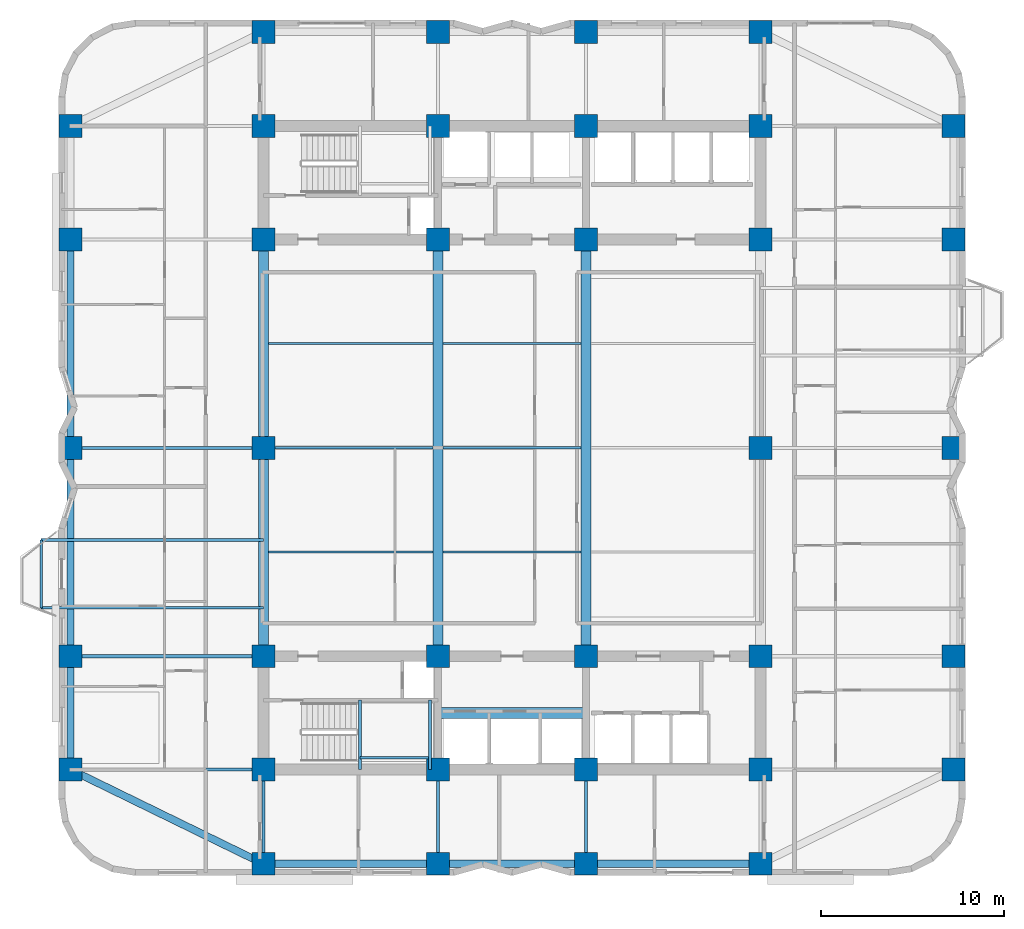
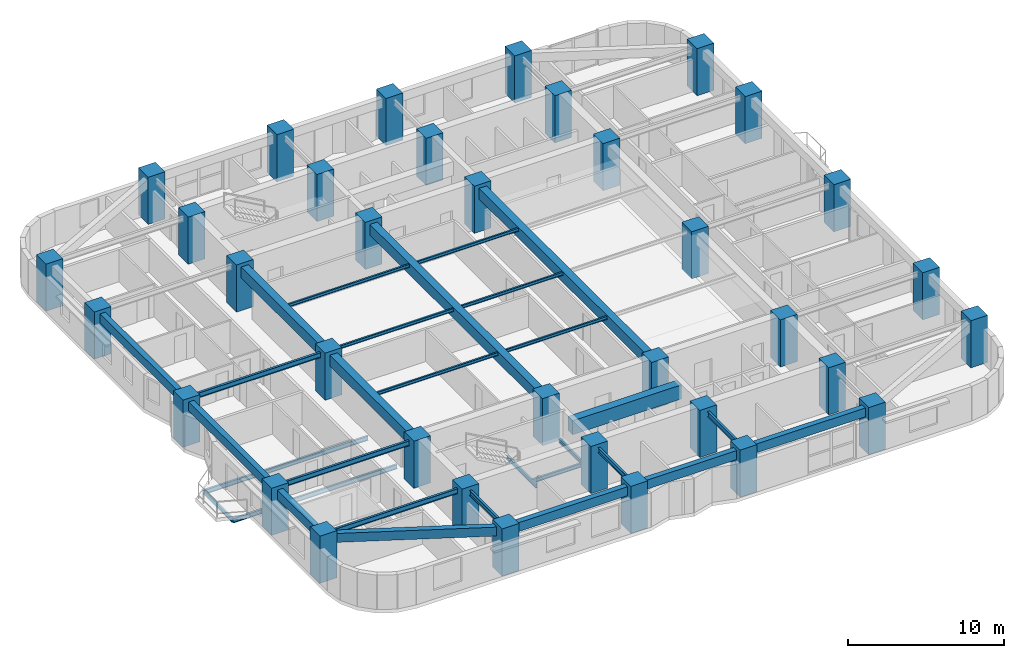
# One storey, part 1 of 13: 36 columns, 30 beams.
"""IFC4 building model written with IfcOpenShell, lengths in metres."""

from ifc_helpers import new_model, si_unit, direction, frame, origin, origin_2d, place, context, subcontext, project, spatial, rectangle, i_section, extrude, material, material_profile, profile_set, type_object, element, save


model = new_model("IFC4")

# Units and contexts
model_context = context("Model", 3, precision=1e-05, world=origin(), true_north=direction((0.0, 1.0)))
body_context = subcontext(model_context, "Body", "Model", "MODEL_VIEW")
ifc_project = project(units=[si_unit("LENGTHUNIT", "METRE"), si_unit("AREAUNIT", "SQUARE_METRE"), si_unit("VOLUMEUNIT", "CUBIC_METRE"), si_unit("PLANEANGLEUNIT", "RADIAN"), si_unit("MASSUNIT", "GRAM", prefix="KILO")], contexts=[model_context])

# Site, building, storey
site_placement = place(None, origin())
site = spatial("IfcSite", under=ifc_project, at=site_placement, CompositionType="ELEMENT")
building_placement = place(site_placement, origin())
building = spatial("IfcBuilding", under=site, at=building_placement, Name="Svetorya Sky Lyceum", CompositionType="ELEMENT")
storey_placement = place(building_placement, frame((0.0, 0.0, 58.39990234375)))
storey = spatial("IfcBuildingStorey", under=building, at=storey_placement, Name="L14", CompositionType="ELEMENT", Elevation=58.39990234375)

# Columns
ifc_material_1 = material(Name="Concrete C60/75", Category="concrete")
ifc_material_profile_1 = material_profile(ifc_material_1, rectangle(XDim=1.25, YDim=1.25, at=origin_2d()), Name="RC COL 1250x1250")
ifc_profile_set_1 = profile_set([ifc_material_profile_1], Name="Concrete C60/75")
column_type = type_object("IfcColumnType", Name="COL-RC-1250", PredefinedType="COLUMN", material=ifc_profile_set_1)
for number, where, z_axis, x_axis, name in (
    (1, (25.60009765625, 10.60009765625, 0.0), (0.0, 0.0, 1.0), (1.0, 0.0, 0.0), "L14 Core Column CS-11"),
    (2, (25.60009765625, 16.800048828125, 0.0), (0.0, 0.0, 1.0), (1.0, 0.0, 0.0), "L14 Core Column CS-12"),
    (3, (35.14990234375, 10.60009765625, 0.0), (0.0, 0.0, 1.0), (1.0, 0.0, 0.0), "L14 Core Column CS-21"),
    (4, (35.14990234375, 16.800048828125, 0.0), (0.0, 0.0, 1.0), (1.0, 0.0, 0.0), "L14 Core Column CS-22"),
    (5, (43.25, 10.60009765625, 0.0), (0.0, 0.0, 1.0), (1.0, 0.0, 0.0), "L14 Core Column CS-31"),
    (6, (43.25, 16.800048828125, 0.0), (0.0, 0.0, 1.0), (1.0, 0.0, 0.0), "L14 Core Column CS-32"),
    (7, (52.800048828125, 10.60009765625, 0.0), (0.0, 0.0, 1.0), (1.0, 0.0, 0.0), "L14 Core Column CS-41"),
    (8, (52.800048828125, 16.800048828125, 0.0), (0.0, 0.0, 1.0), (1.0, 0.0, 0.0), "L14 Core Column CS-42"),
    (9, (25.60009765625, 39.60009765625, 0.0), (0.0, 0.0, 1.0), (1.0, 0.0, 0.0), "L14 Core Column CN-11"),
    (10, (25.60009765625, 45.800048828125, 0.0), (0.0, 0.0, 1.0), (1.0, 0.0, 0.0), "L14 Core Column CN-12"),
    (11, (35.14990234375, 39.60009765625, 0.0), (0.0, 0.0, 1.0), (1.0, 0.0, 0.0), "L14 Core Column CN-21"),
    (12, (35.14990234375, 45.800048828125, 0.0), (0.0, 0.0, 1.0), (1.0, 0.0, 0.0), "L14 Core Column CN-22"),
    (13, (43.25, 39.60009765625, 0.0), (0.0, 0.0, 1.0), (1.0, 0.0, 0.0), "L14 Core Column CN-31"),
    (14, (43.25, 45.800048828125, 0.0), (0.0, 0.0, 1.0), (1.0, 0.0, 0.0), "L14 Core Column CN-32"),
    (15, (52.800048828125, 39.60009765625, 0.0), (0.0, 0.0, 1.0), (1.0, 0.0, 0.0), "L14 Core Column CN-41"),
    (16, (52.800048828125, 45.800048828125, 0.0), (0.0, 0.0, 1.0), (1.0, 0.0, 0.0), "L14 Core Column CN-42"),
    (17, (25.60009765625, 28.199951171875, 0.0), (0.0, 0.0, 1.0), (1.0, 0.0, 0.0), "L14 Core Column CM-W"),
    (18, (52.800048828125, 28.199951171875, 0.0), (0.0, 0.0, 1.0), (1.0, 0.0, 0.0), "L14 Core Column CM-E"),
    (19, (25.60009765625, 5.449951171875, 0.0), (0.0, 0.0, 1.0), (1.0, 0.0, 0.0), "L14 Perimeter Column S1"),
    (20, (25.60009765625, 50.949951171875, 0.0), (0.0, 0.0, 1.0), (1.0, 0.0, 0.0), "L14 Perimeter Column N1"),
    (21, (35.14990234375, 5.449951171875, 0.0), (0.0, 0.0, 1.0), (1.0, 0.0, 0.0), "L14 Perimeter Column S2"),
    (22, (35.14990234375, 50.949951171875, 0.0), (0.0, 0.0, 1.0), (1.0, 0.0, 0.0), "L14 Perimeter Column N2"),
    (23, (43.25, 5.449951171875, 0.0), (0.0, 0.0, 1.0), (1.0, 0.0, 0.0), "L14 Perimeter Column S3"),
    (24, (43.25, 50.949951171875, 0.0), (0.0, 0.0, 1.0), (1.0, 0.0, 0.0), "L14 Perimeter Column N3"),
    (25, (52.800048828125, 5.449951171875, 0.0), (0.0, 0.0, 1.0), (1.0, 0.0, 0.0), "L14 Perimeter Column S4"),
    (26, (52.800048828125, 50.949951171875, 0.0), (0.0, 0.0, 1.0), (1.0, 0.0, 0.0), "L14 Perimeter Column N4"),
    (27, (15.050048828125, 10.60009765625, 0.0), (0.0, 0.0, 1.0), (1.0, 0.0, 0.0), "L14 Perimeter Column W1"),
    (28, (63.35009765625, 10.60009765625, 0.0), (0.0, 0.0, 1.0), (1.0, 0.0, 0.0), "L14 Perimeter Column E1"),
    (29, (15.050048828125, 16.800048828125, 0.0), (0.0, 0.0, 1.0), (1.0, 0.0, 0.0), "L14 Perimeter Column W2"),
    (30, (63.35009765625, 16.800048828125, 0.0), (0.0, 0.0, 1.0), (1.0, 0.0, 0.0), "L14 Perimeter Column E2"),
    (31, (15.050048828125, 28.199951171875, 0.0), (0.0, 0.0, 1.0), (1.0, 0.0, 0.0), "L14 Perimeter Column W3"),
    (32, (63.35009765625, 28.199951171875, 0.0), (0.0, 0.0, 1.0), (1.0, 0.0, 0.0), "L14 Perimeter Column E3"),
    (33, (15.050048828125, 39.60009765625, 0.0), (0.0, 0.0, 1.0), (1.0, 0.0, 0.0), "L14 Perimeter Column W4"),
    (34, (63.35009765625, 39.60009765625, 0.0), (0.0, 0.0, 1.0), (1.0, 0.0, 0.0), "L14 Perimeter Column E4"),
    (35, (15.050048828125, 45.800048828125, 0.0), (0.0, 0.0, 1.0), (1.0, 0.0, 0.0), "L14 Perimeter Column W5"),
    (36, (63.35009765625, 45.800048828125, 0.0), (0.0, 0.0, 1.0), (1.0, 0.0, 0.0), "L14 Perimeter Column E5"),
):
    element("IfcColumn", number, at=place(storey_placement, frame(where, z_axis=z_axis, x_axis=x_axis)), inside=storey, type_object=column_type, Name=name, PredefinedType="COLUMN", context=body_context, shape_type="SweptSolid", body=[
        extrude(rectangle(XDim=1.25, YDim=1.25, at=origin_2d()), origin(), (0.0, 0.0, 1.0), 3.7001953125),
    ])

# Beams
ifc_material_profile_2 = material_profile(ifc_material_1, rectangle(XDim=0.60009765625, YDim=1.10009765625, at=origin_2d()), Name="RC COUPLING 600x1100")
ifc_profile_set_2 = profile_set([ifc_material_profile_2], Name="Concrete C60/75")
beam_type_1 = type_object("IfcBeamType", Name="BM-CPL-1100", PredefinedType="LINTEL", material=ifc_profile_set_2)
beam_1_placement = place(storey_placement, frame((35.14990234375, 13.699951171875, 2.8701171875), z_axis=(1.0, 0.0, 0.0), x_axis=(0.0, 1.0, 0.0)))
element("IfcBeam", 37, at=beam_1_placement, inside=storey, type_object=beam_type_1, Name="L14 SC Core Coupling Beam", PredefinedType="LINTEL", context=body_context, shape_type="SweptSolid", body=[
    extrude(rectangle(XDim=0.60009765625, YDim=1.10009765625, at=origin_2d()), origin(), (0.0, 0.0, 1.0), 8.10009765625),
])
ifc_material_2 = material(Name="Concrete C50/60", Category="concrete")
ifc_material_profile_3 = material_profile(ifc_material_2, rectangle(XDim=0.550048828125, YDim=0.85009765625, at=origin_2d()), Name="RC BEAM 550x850")
ifc_profile_set_3 = profile_set([ifc_material_profile_3], Name="Concrete C50/60")
beam_type_2 = type_object("IfcBeamType", Name="BM-RC-850", PredefinedType="BEAM", material=ifc_profile_set_3)
beam_2_placement = place(storey_placement, frame((25.60009765625, 16.800048828125, 2.9951171875), z_axis=(0.0, 1.0, 0.0), x_axis=(-1.0, 0.0, 0.0)))
element("IfcBeam", 38, at=beam_2_placement, inside=storey, type_object=beam_type_2, Name="L14 Central Bay Primary Girder CG-1A", PredefinedType="BEAM", context=body_context, shape_type="SweptSolid", body=[
    extrude(rectangle(XDim=0.550048828125, YDim=0.85009765625, at=origin_2d()), origin(), (0.0, 0.0, 1.0), 11.39990234375),
])
beam_3_placement = place(storey_placement, frame((25.60009765625, 28.199951171875, 2.9951171875), z_axis=(0.0, 1.0, 0.0), x_axis=(-1.0, 0.0, 0.0)))
element("IfcBeam", 39, at=beam_3_placement, inside=storey, type_object=beam_type_2, Name="L14 Central Bay Primary Girder CG-1B", PredefinedType="BEAM", context=body_context, shape_type="SweptSolid", body=[
    extrude(rectangle(XDim=0.550048828125, YDim=0.85009765625, at=origin_2d()), origin(), (0.0, 0.0, 1.0), 11.400146484375),
])
for number, where, z_axis, x_axis, name in (
    (40, (35.14990234375, 16.800048828125, 2.9951171875), (0.0, 1.0, 0.0), (-1.0, 0.0, 0.0), "L14 Central Bay Primary Girder CG-2"),
    (41, (43.25, 16.800048828125, 2.9951171875), (0.0, 1.0, 0.0), (-1.0, 0.0, 0.0), "L14 Central Bay Primary Girder CG-3"),
):
    element("IfcBeam", number, at=place(storey_placement, frame(where, z_axis=z_axis, x_axis=x_axis)), inside=storey, type_object=beam_type_2, Name=name, PredefinedType="BEAM", context=body_context, shape_type="SweptSolid", body=[
        extrude(rectangle(XDim=0.550048828125, YDim=0.85009765625, at=origin_2d()), origin(), (0.0, 0.0, 1.0), 22.800048828125),
    ])
ifc_material_profile_4 = material_profile(ifc_material_2, rectangle(XDim=0.39990234375, YDim=0.699951171875, at=origin_2d()), Name="RC SPANDREL 400x700")
ifc_profile_set_4 = profile_set([ifc_material_profile_4], Name="Concrete C50/60")
beam_type_3 = type_object("IfcBeamType", Name="BM-SPN-700", PredefinedType="SPANDREL", material=ifc_profile_set_4)
beam_4_placement = place(storey_placement, frame((25.60009765625, 5.449951171875, 3.070068359375), z_axis=(1.0, 0.0, 0.0), x_axis=(0.0, 1.0, 0.0)))
element("IfcBeam", 42, at=beam_4_placement, inside=storey, type_object=beam_type_3, Name="L14 South Spandrel 1", PredefinedType="SPANDREL", context=body_context, shape_type="SweptSolid", body=[
    extrude(rectangle(XDim=0.39990234375, YDim=0.699951171875, at=origin_2d()), origin(), (0.0, 0.0, 1.0), 9.5498046875),
])
beam_5_placement = place(storey_placement, frame((35.14990234375, 5.449951171875, 3.070068359375), z_axis=(1.0, 0.0, 0.0), x_axis=(0.0, 1.0, 0.0)))
element("IfcBeam", 43, at=beam_5_placement, inside=storey, type_object=beam_type_3, Name="L14 South Spandrel 2", PredefinedType="SPANDREL", context=body_context, shape_type="SweptSolid", body=[
    extrude(rectangle(XDim=0.39990234375, YDim=0.699951171875, at=origin_2d()), origin(), (0.0, 0.0, 1.0), 8.10009765625),
])
beam_6_placement = place(storey_placement, frame((43.25, 5.449951171875, 3.070068359375), z_axis=(1.0, 0.0, 0.0), x_axis=(0.0, 1.0, 0.0)))
element("IfcBeam", 44, at=beam_6_placement, inside=storey, type_object=beam_type_3, Name="L14 South Spandrel 3", PredefinedType="SPANDREL", context=body_context, shape_type="SweptSolid", body=[
    extrude(rectangle(XDim=0.39990234375, YDim=0.699951171875, at=origin_2d()), origin(), (0.0, 0.0, 1.0), 9.550048828125),
])
beam_7_placement = place(storey_placement, frame((25.60009765625, 5.449951171875, 3.070068359375), z_axis=(-0.898641495694, 0.438683783854, 0.0), x_axis=(-0.438683783854, -0.898641495694, 0.0)))
element("IfcBeam", 45, at=beam_7_placement, inside=storey, type_object=beam_type_3, Name="L14 Corner Spandrel 1", PredefinedType="SPANDREL", context=body_context, shape_type="SweptSolid", body=[
    extrude(rectangle(XDim=0.39990234375, YDim=0.699951171875, at=origin_2d()), origin(), (0.0, 0.0, 1.0), 11.739990234375),
])
beam_8_placement = place(storey_placement, frame((15.050048828125, 10.60009765625, 3.070068359375), z_axis=(0.0, 1.0, 0.0), x_axis=(-1.0, 0.0, 0.0)))
element("IfcBeam", 46, at=beam_8_placement, inside=storey, type_object=beam_type_3, Name="L14 West Spandrel 1", PredefinedType="SPANDREL", context=body_context, shape_type="SweptSolid", body=[
    extrude(rectangle(XDim=0.39990234375, YDim=0.699951171875, at=origin_2d()), origin(), (0.0, 0.0, 1.0), 6.199951171875),
])
beam_9_placement = place(storey_placement, frame((15.050048828125, 16.800048828125, 3.070068359375), z_axis=(0.0, 1.0, 0.0), x_axis=(-1.0, 0.0, 0.0)))
element("IfcBeam", 47, at=beam_9_placement, inside=storey, type_object=beam_type_3, Name="L14 West Spandrel 2", PredefinedType="SPANDREL", context=body_context, shape_type="SweptSolid", body=[
    extrude(rectangle(XDim=0.39990234375, YDim=0.699951171875, at=origin_2d()), origin(), (0.0, 0.0, 1.0), 11.39990234375),
])
beam_10_placement = place(storey_placement, frame((15.050048828125, 28.199951171875, 3.070068359375), z_axis=(0.0, 1.0, 0.0), x_axis=(-1.0, 0.0, 0.0)))
element("IfcBeam", 48, at=beam_10_placement, inside=storey, type_object=beam_type_3, Name="L14 West Spandrel 3", PredefinedType="SPANDREL", context=body_context, shape_type="SweptSolid", body=[
    extrude(rectangle(XDim=0.39990234375, YDim=0.699951171875, at=origin_2d()), origin(), (0.0, 0.0, 1.0), 11.400146484375),
])
ifc_material_3 = material(Name="Steel S355", Category="steel")
ifc_material_profile_5 = material_profile(ifc_material_3, i_section(OverallWidth=0.1240234375, OverallDepth=0.248046875, WebThickness=0.006103515625, FlangeThickness=0.009521484375, at=origin_2d()), Name="GOST 25B2")
ifc_profile_set_5 = profile_set([ifc_material_profile_5], Name="Steel S355")
beam_type_4 = type_object("IfcBeamType", Name="BM-STL-25B2", PredefinedType="JOIST", material=ifc_profile_set_5)
beam_11_placement = place(storey_placement, frame((25.875, 22.5, 3.296142578125), z_axis=(1.0, 0.0, 0.0), x_axis=(0.0, 1.0, 0.0)))
element("IfcBeam", 49, at=beam_11_placement, inside=storey, type_object=beam_type_4, Name="L14 Central Floor Joist CJ-1.1", PredefinedType="JOIST", context=body_context, shape_type="SweptSolid", body=[
    extrude(i_section(OverallWidth=0.1240234375, OverallDepth=0.248046875, WebThickness=0.006103515625, FlangeThickness=0.009521484375, at=origin_2d()), origin(), (0.0, 0.0, 1.0), 9.0),
])
beam_12_placement = place(storey_placement, frame((35.425048828125, 22.5, 3.296142578125), z_axis=(1.0, 0.0, 0.0), x_axis=(0.0, 1.0, 0.0)))
element("IfcBeam", 50, at=beam_12_placement, inside=storey, type_object=beam_type_4, Name="L14 Central Floor Joist CJ-1.2", PredefinedType="JOIST", context=body_context, shape_type="SweptSolid", body=[
    extrude(i_section(OverallWidth=0.1240234375, OverallDepth=0.248046875, WebThickness=0.006103515625, FlangeThickness=0.009521484375, at=origin_2d()), origin(), (0.0, 0.0, 1.0), 7.550048828125),
])
beam_13_placement = place(storey_placement, frame((25.875, 28.199951171875, 3.296142578125), z_axis=(1.0, 0.0, 0.0), x_axis=(0.0, 1.0, 0.0)))
element("IfcBeam", 51, at=beam_13_placement, inside=storey, type_object=beam_type_4, Name="L14 Central Floor Joist CJ-2.1", PredefinedType="JOIST", context=body_context, shape_type="SweptSolid", body=[
    extrude(i_section(OverallWidth=0.1240234375, OverallDepth=0.248046875, WebThickness=0.006103515625, FlangeThickness=0.009521484375, at=origin_2d()), origin(), (0.0, 0.0, 1.0), 9.0),
])
beam_14_placement = place(storey_placement, frame((35.425048828125, 28.199951171875, 3.296142578125), z_axis=(1.0, 0.0, 0.0), x_axis=(0.0, 1.0, 0.0)))
element("IfcBeam", 52, at=beam_14_placement, inside=storey, type_object=beam_type_4, Name="L14 Central Floor Joist CJ-2.2", PredefinedType="JOIST", context=body_context, shape_type="SweptSolid", body=[
    extrude(i_section(OverallWidth=0.1240234375, OverallDepth=0.248046875, WebThickness=0.006103515625, FlangeThickness=0.009521484375, at=origin_2d()), origin(), (0.0, 0.0, 1.0), 7.550048828125),
])
beam_15_placement = place(storey_placement, frame((25.875, 33.89990234375, 3.296142578125), z_axis=(1.0, 0.0, 0.0), x_axis=(0.0, 1.0, 0.0)))
element("IfcBeam", 53, at=beam_15_placement, inside=storey, type_object=beam_type_4, Name="L14 Central Floor Joist CJ-3.1", PredefinedType="JOIST", context=body_context, shape_type="SweptSolid", body=[
    extrude(i_section(OverallWidth=0.1240234375, OverallDepth=0.248046875, WebThickness=0.006103515625, FlangeThickness=0.009521484375, at=origin_2d()), origin(), (0.0, 0.0, 1.0), 9.0),
])
beam_16_placement = place(storey_placement, frame((35.425048828125, 33.89990234375, 3.296142578125), z_axis=(1.0, 0.0, 0.0), x_axis=(0.0, 1.0, 0.0)))
element("IfcBeam", 54, at=beam_16_placement, inside=storey, type_object=beam_type_4, Name="L14 Central Floor Joist CJ-3.2", PredefinedType="JOIST", context=body_context, shape_type="SweptSolid", body=[
    extrude(i_section(OverallWidth=0.1240234375, OverallDepth=0.248046875, WebThickness=0.006103515625, FlangeThickness=0.009521484375, at=origin_2d()), origin(), (0.0, 0.0, 1.0), 7.550048828125),
])
ifc_material_profile_6 = material_profile(ifc_material_3, i_section(OverallWidth=0.14990234375, OverallDepth=0.299072265625, WebThickness=0.006591796875, FlangeThickness=0.010498046875, at=origin_2d()), Name="GOST 30B2")
ifc_profile_set_6 = profile_set([ifc_material_profile_6], Name="Steel S355")
beam_type_5 = type_object("IfcBeamType", Name="BM-STL-30B2", PredefinedType="JOIST", material=ifc_profile_set_6)
beam_17_placement = place(storey_placement, frame((13.449951171875, 19.449951171875, -0.454345703125), z_axis=(0.0, 1.0, 0.0), x_axis=(-1.0, 0.0, 0.0)))
element("IfcBeam", 55, at=beam_17_placement, inside=storey, type_object=beam_type_5, Name="L14 Balcony Edge Tie BAL-W1", PredefinedType="JOIST", context=body_context, shape_type="SweptSolid", body=[
    extrude(i_section(OverallWidth=0.14990234375, OverallDepth=0.299072265625, WebThickness=0.006591796875, FlangeThickness=0.010498046875, at=origin_2d()), origin(), (0.0, 0.0, 1.0), 3.699951171875),
])
for number, where, z_axis, x_axis, name in (
    (56, (30.8798828125, 10.60009765625, 1.50048828125), (0.0, 1.0, 0.0), (-1.0, 0.0, 0.0), "L14 Stair ST-S Half-Landing Support Beam 16.1"),
    (57, (34.719970703125, 10.60009765625, 1.50048828125), (0.0, 1.0, 0.0), (-1.0, 0.0, 0.0), "L14 Stair ST-S Half-Landing Support Beam 16.2"),
):
    element("IfcBeam", number, at=place(storey_placement, frame(where, z_axis=z_axis, x_axis=x_axis)), inside=storey, type_object=beam_type_5, Name=name, PredefinedType="JOIST", context=body_context, shape_type="SweptSolid", body=[
        extrude(i_section(OverallWidth=0.14990234375, OverallDepth=0.299072265625, WebThickness=0.006591796875, FlangeThickness=0.010498046875, at=origin_2d()), origin(), (0.0, 0.0, 1.0), 3.7998046875),
    ])
beam_18_placement = place(storey_placement, frame((30.8798828125, 11.25, 1.50048828125), z_axis=(1.0, 0.0, 0.0), x_axis=(0.0, 1.0, 0.0)))
element("IfcBeam", 58, at=beam_18_placement, inside=storey, type_object=beam_type_5, Name="L14 Stair ST-S Half-Landing Cross Tie 16", PredefinedType="JOIST", context=body_context, shape_type="SweptSolid", body=[
    extrude(i_section(OverallWidth=0.14990234375, OverallDepth=0.299072265625, WebThickness=0.006591796875, FlangeThickness=0.010498046875, at=origin_2d()), origin(), (0.0, 0.0, 1.0), 3.840087890625),
])
ifc_material_profile_7 = material_profile(ifc_material_3, i_section(OverallWidth=0.155029296875, OverallDepth=0.34912109375, WebThickness=0.007080078125, FlangeThickness=0.011474609375, at=origin_2d()), Name="GOST 35B2")
ifc_profile_set_7 = profile_set([ifc_material_profile_7], Name="Steel S355")
beam_type_6 = type_object("IfcBeamType", Name="BM-STL-35B2", PredefinedType="JOIST", material=ifc_profile_set_7)
for number, where, z_axis, x_axis, name in (
    (59, (25.60009765625, 19.449951171875, -0.454345703125), (-1.0, 0.0, 0.0), (0.0, -1.0, 0.0), "L14 Balcony Cantilever Beam BAL-W1-1"),
    (60, (25.60009765625, 23.14990234375, -0.454345703125), (-1.0, 0.0, 0.0), (0.0, -1.0, 0.0), "L14 Balcony Cantilever Beam BAL-W1-2"),
):
    element("IfcBeam", number, at=place(storey_placement, frame(where, z_axis=z_axis, x_axis=x_axis)), inside=storey, type_object=beam_type_6, Name=name, PredefinedType="JOIST", context=body_context, shape_type="SweptSolid", body=[
        extrude(i_section(OverallWidth=0.155029296875, OverallDepth=0.34912109375, WebThickness=0.007080078125, FlangeThickness=0.011474609375, at=origin_2d()), origin(), (0.0, 0.0, 1.0), 12.150146484375),
    ])
ifc_material_profile_8 = material_profile(ifc_material_3, i_section(OverallWidth=0.1650390625, OverallDepth=0.39990234375, WebThickness=0.008056640625, FlangeThickness=0.012939453125, at=origin_2d()), Name="GOST 40B2")
ifc_profile_set_8 = profile_set([ifc_material_profile_8], Name="Steel S355")
beam_type_7 = type_object("IfcBeamType", Name="BM-STL-40B2", PredefinedType="JOIST", material=ifc_profile_set_8)
for number, where, z_axis, x_axis, name in (
    (61, (15.050048828125, 10.60009765625, 3.22021484375), (1.0, 0.0, 0.0), (0.0, 1.0, 0.0), "L14 West Wing Floor Joist W1"),
    (62, (15.050048828125, 16.800048828125, 3.22021484375), (1.0, 0.0, 0.0), (0.0, 1.0, 0.0), "L14 West Wing Floor Joist W2"),
    (63, (15.050048828125, 28.199951171875, 3.22021484375), (1.0, 0.0, 0.0), (0.0, 1.0, 0.0), "L14 West Wing Floor Joist W3"),
):
    element("IfcBeam", number, at=place(storey_placement, frame(where, z_axis=z_axis, x_axis=x_axis)), inside=storey, type_object=beam_type_7, Name=name, PredefinedType="JOIST", context=body_context, shape_type="SweptSolid", body=[
        extrude(i_section(OverallWidth=0.1650390625, OverallDepth=0.39990234375, WebThickness=0.008056640625, FlangeThickness=0.012939453125, at=origin_2d()), origin(), (0.0, 0.0, 1.0), 10.550048828125),
    ])
for number, where, z_axis, x_axis, name in (
    (64, (25.60009765625, 5.449951171875, 3.22021484375), (0.0, 1.0, 0.0), (-1.0, 0.0, 0.0), "L14 South Bay Floor Girder S1"),
    (65, (35.14990234375, 5.449951171875, 3.22021484375), (0.0, 1.0, 0.0), (-1.0, 0.0, 0.0), "L14 South Bay Floor Girder S2"),
    (66, (43.25, 5.449951171875, 3.22021484375), (0.0, 1.0, 0.0), (-1.0, 0.0, 0.0), "L14 South Bay Floor Girder S3"),
):
    element("IfcBeam", number, at=place(storey_placement, frame(where, z_axis=z_axis, x_axis=x_axis)), inside=storey, type_object=beam_type_7, Name=name, PredefinedType="JOIST", context=body_context, shape_type="SweptSolid", body=[
        extrude(i_section(OverallWidth=0.1650390625, OverallDepth=0.39990234375, WebThickness=0.008056640625, FlangeThickness=0.012939453125, at=origin_2d()), origin(), (0.0, 0.0, 1.0), 5.150146484375),
    ])

save(model, "model.ifc")
